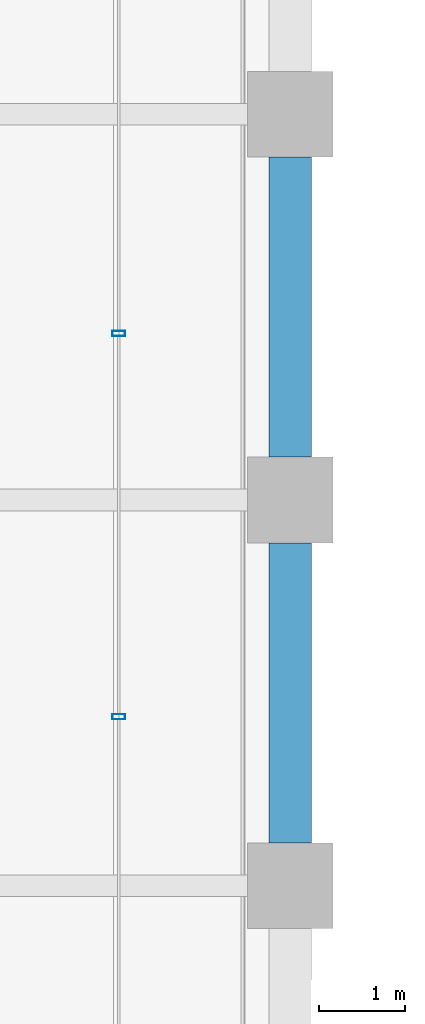
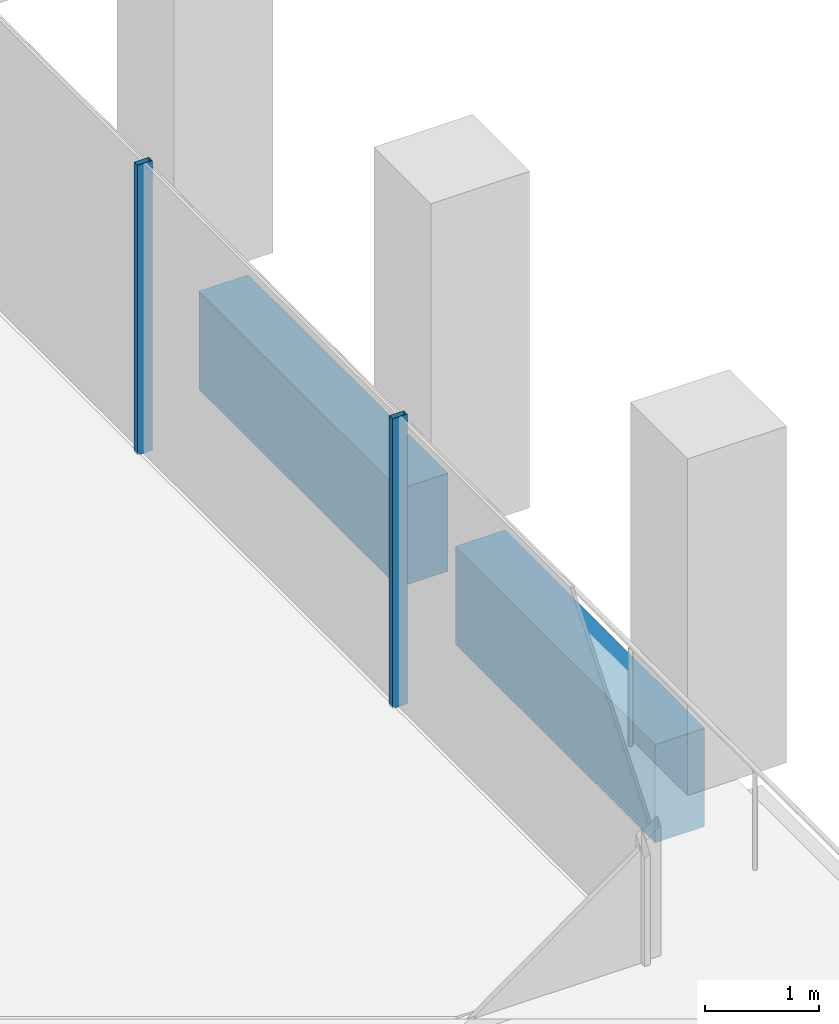
# One storey, part 15 of 46: 2 beams, 2 members, 1 element without a shape of its own.
"""IFC4 building model written with IfcOpenShell, lengths in metres."""

from ifc_helpers import new_model, si_unit, direction, frame, origin, origin_2d, place, context, subcontext, project, spatial, rectangle, hollow_rectangle, extrude, material, material_profile, profile_set, type_object, element, aggregate, save


model = new_model("IFC4")

# Units and contexts
model_context = context("Model", 3, precision=1e-05, world=origin(), true_north=direction((0.0, 1.0)))
body_context = subcontext(model_context, "Body", "Model", "MODEL_VIEW")
ifc_project = project(units=[si_unit("LENGTHUNIT", "METRE"), si_unit("AREAUNIT", "SQUARE_METRE"), si_unit("VOLUMEUNIT", "CUBIC_METRE"), si_unit("PLANEANGLEUNIT", "RADIAN"), si_unit("MASSUNIT", "GRAM", prefix="KILO")], contexts=[model_context])

# Site, building, storey
site_placement = place(None, origin())
site = spatial("IfcSite", under=ifc_project, at=site_placement, CompositionType="ELEMENT")
building_placement = place(site_placement, origin())
building = spatial("IfcBuilding", under=site, at=building_placement, Name="Altepetl Exchange Towers", CompositionType="ELEMENT")
storey_placement = place(building_placement, frame((0.0, 0.0, 128.0)))
storey = spatial("IfcBuildingStorey", under=building, at=storey_placement, Name="L31", CompositionType="ELEMENT", Elevation=128.0)

# Curtain wall, members
ifc_material_1 = material(Name="Aluminium 6063-T6 glazing", Category="aluminium")
curtain_wall_type = type_object("IfcCurtainWallType", Name="Loggia glazing system", PredefinedType="NOTDEFINED", material=ifc_material_1)
curtain_wall_placement = place(storey_placement, origin())
curtain_wall = element("IfcCurtainWall", 1, at=curtain_wall_placement, inside=storey, type_object=curtain_wall_type, Name="CW1 run", PredefinedType="NOTDEFINED")
ifc_material_2 = material(Name="Aluminium 6063-T6", Category="aluminium")
ifc_material_profile_1 = material_profile(ifc_material_2, hollow_rectangle(XDim=0.06005859375, YDim=0.14990234375, WallThickness=0.0029296875, at=origin_2d()), Name="Mullion 60x150 aluminium")
ifc_profile_set_1 = profile_set([ifc_material_profile_1], Name="Aluminium 6063-T6")
member_type = type_object("IfcMemberType", Name="Mullion 60x150 aluminium", PredefinedType="MULLION", material=ifc_profile_set_1)
member_1_placement = place(storey_placement, frame((70.0, 37.970947265625, 0.0), z_axis=(0.0, 0.0, 1.0), x_axis=(0.0, 1.0, 0.0)))
member_1 = element("IfcMember", 2, at=member_1_placement, type_object=member_type, Name="MU1 mullion", PredefinedType="MULLION", context=body_context, shape_type="SweptSolid", body=[
    extrude(hollow_rectangle(XDim=0.06005859375, YDim=0.14990234375, WallThickness=0.0029296875, at=origin_2d()), origin(), (0.0, 0.0, 1.0), 3.10009765625),
])
member_2_placement = place(storey_placement, frame((70.0, 42.44189453125, 0.0), z_axis=(0.0, 0.0, 1.0), x_axis=(0.0, 1.0, 0.0)))
member_2 = element("IfcMember", 3, at=member_2_placement, type_object=member_type, Name="MU1 mullion", PredefinedType="MULLION", context=body_context, shape_type="SweptSolid", body=[
    extrude(hollow_rectangle(XDim=0.06005859375, YDim=0.14990234375, WallThickness=0.0029296875, at=origin_2d()), origin(), (0.0, 0.0, 1.0), 3.10009765625),
])
aggregate(curtain_wall, [member_1, member_2])

# Beams
ifc_material_3 = material(Name="Concrete C50/60 precast with cantera amarilla facing", Category="concrete")
ifc_material_profile_2 = material_profile(ifc_material_3, rectangle(XDim=0.5, YDim=1.050048828125, at=origin_2d()), Name="500 x 1050")
ifc_profile_set_2 = profile_set([ifc_material_profile_2], Name="Concrete C50/60 precast with cantera amarilla facing")
beam_type = type_object("IfcBeamType", Name="Spandrel beam 500x1050 cantera amarilla", PredefinedType="SPANDREL", material=ifc_profile_set_2)
for number, where, z_axis, x_axis, name in (
    (4, (72.0, 36.5, -0.675048828125), (0.0, 1.0, 0.0), (-1.0, 0.0, 0.0), "sp:A:L31:013"),
    (5, (72.0, 41.0, -0.675048828125), (0.0, 1.0, 0.0), (-1.0, 0.0, 0.0), "sp:A:L31:014"),
):
    element("IfcBeam", number, at=place(storey_placement, frame(where, z_axis=z_axis, x_axis=x_axis)), inside=storey, type_object=beam_type, Name=name, PredefinedType="SPANDREL", context=body_context, shape_type="SweptSolid", body=[
        extrude(rectangle(XDim=0.5, YDim=1.050048828125, at=origin_2d()), origin(), (0.0, 0.0, 1.0), 3.5),
    ])

save(model, "model.ifc")
